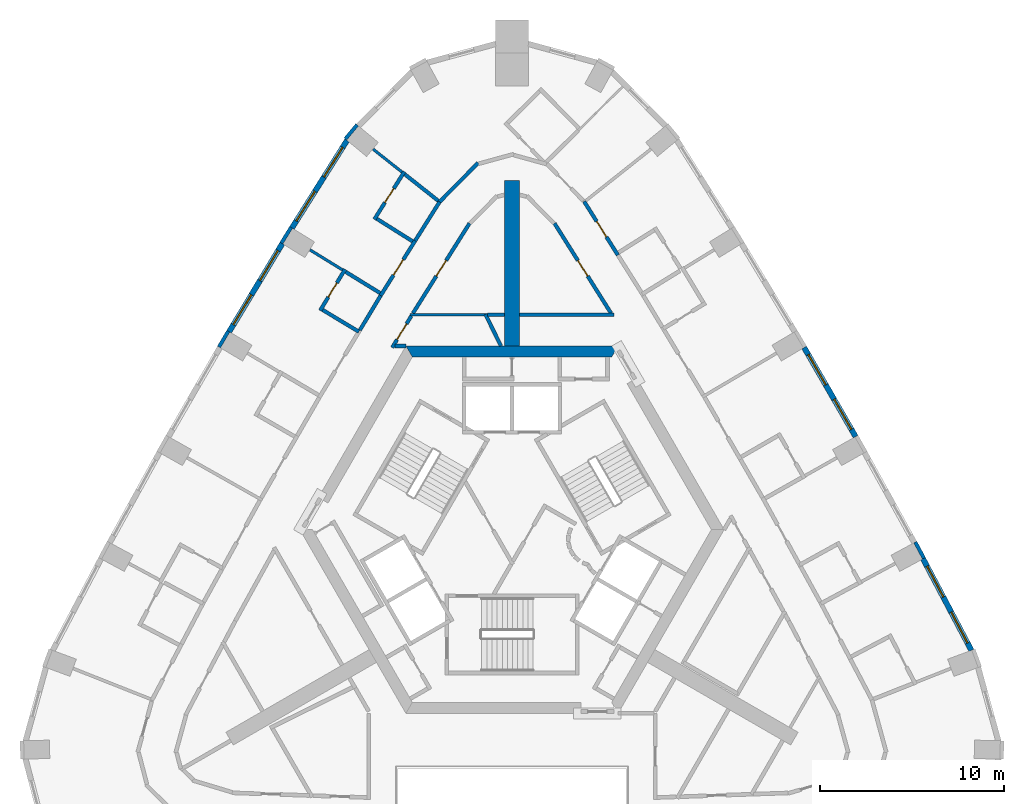
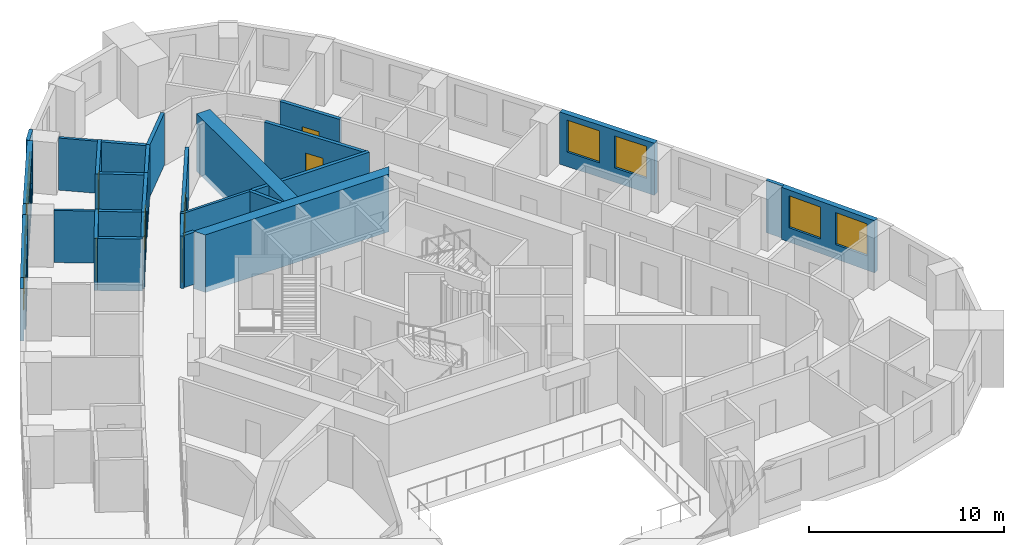
# One storey, part 9 of 12: 31 walls, 8 windows, 7 doors, 15 openings.
"""IFC4 building model written with IfcOpenShell, lengths in metres."""

from ifc_helpers import new_model, si_unit, direction, frame, frame_2d, origin, place, context, subcontext, project, spatial, polyline, rectangle, outline, extrude, material, layer, layer_set, type_object, element, fill, save


model = new_model("IFC4")

# Units and contexts
model_context = context("Model", 3, precision=1e-05, world=origin(), true_north=direction((0.0, 1.0)))
body_context = subcontext(model_context, "Body", "Model", "MODEL_VIEW")
ifc_project = project(units=[si_unit("LENGTHUNIT", "METRE"), si_unit("AREAUNIT", "SQUARE_METRE"), si_unit("VOLUMEUNIT", "CUBIC_METRE"), si_unit("PLANEANGLEUNIT", "RADIAN"), si_unit("MASSUNIT", "GRAM", prefix="KILO")], contexts=[model_context])

# Site, building, storey
site_placement = place(None, origin())
site = spatial("IfcSite", under=ifc_project, at=site_placement, CompositionType="ELEMENT")
building_placement = place(site_placement, origin())
building = spatial("IfcBuilding", under=site, at=building_placement, Name="Entoto Arch Interchange Tower", CompositionType="ELEMENT")
storey_placement = place(building_placement, frame((0.0, 0.0, 255.800048828125)))
storey = spatial("IfcBuildingStorey", under=building, at=storey_placement, Name="L58", CompositionType="ELEMENT", Elevation=255.800048828125)

# Walls
ifc_material_1 = material(Name="Concrete C40/50", Category="concrete")
ifc_layer_1 = layer(ifc_material_1, 0.800048828125)
ifc_layer_set_1 = layer_set([ifc_layer_1], Name="Concrete C40/50")
wall_type_1 = type_object("IfcWallType", Name="Buttress wall 800 C40/50", PredefinedType="SHEAR", material=ifc_layer_set_1)
wall_1_placement = place(storey_placement, frame((0.0, 12.5, -0.340087890625), z_axis=(0.0, 0.0, 1.0), x_axis=(0.0, 1.0, 0.0)))
element("IfcWall", 1, at=wall_1_placement, inside=storey, type_object=wall_type_1, Name="Buttress wall N L58", PredefinedType="SHEAR", context=body_context, shape_type="SweptSolid", body=[
    extrude(rectangle(XDim=9.0, YDim=0.800048828125, at=frame_2d((4.5, 0.0))), origin(), (0.0, 0.0, 1.0), 3.60009765625),
])
ifc_layer_2 = layer(ifc_material_1, 0.60009765625)
ifc_layer_set_2 = layer_set([ifc_layer_2], Name="Concrete C40/50")
wall_type_2 = type_object("IfcWallType", Name="Core wall 600 C40/50", PredefinedType="SHEAR", material=ifc_layer_set_2)
wall_2_placement = place(storey_placement, frame((0.0, 0.0, -0.340087890625)))
element("IfcWall", 2, at=wall_2_placement, inside=storey, type_object=wall_type_2, Name="Core wall N L58", PredefinedType="SHEAR", context=body_context, shape_type="SweptSolid", body=[
    extrude(outline(polyline([(5.77392578125, 12.5), (-5.77392578125, 12.5), (-5.427001953125, 11.89990234375), (5.427001953125, 11.89990234375), (5.77392578125, 12.5)])), origin(), (0.0, 0.0, 1.0), 3.60009765625),
])
ifc_material_2 = material(Name="Gypsum board partition on steel studs", Category="steel")
ifc_layer_3 = layer(ifc_material_2, 0.14990234375)
ifc_layer_set_3 = layer_set([ifc_layer_3], Name="Gypsum board partition on steel studs")
wall_type_3 = type_object("IfcWallType", Name="PARTITION 150", PredefinedType="PARTITIONING", material=ifc_layer_set_3)
wall_3_placement = place(storey_placement, frame((-1.333984375, 14.199951171875, 0.0), z_axis=(0.0, 0.0, 1.0), x_axis=(-1.0, 0.0, 0.0)))
element("IfcWall", 3, at=wall_3_placement, inside=storey, type_object=wall_type_3, Name="wall:L58:p089", PredefinedType="PARTITIONING", context=body_context, shape_type="SweptSolid", body=[
    extrude(rectangle(XDim=4.208984375, YDim=0.14990234375, at=frame_2d((2.1044921875, 0.0))), origin(), (0.0, 0.0, 1.0), 3.260009765625),
])
wall_4_placement = place(storey_placement, frame((-5.989990234375, 21.969970703125, 0.0), z_axis=(0.0, 0.0, 1.0), x_axis=(-0.783573405437, 0.621299218003, 0.0)))
element("IfcWall", 4, at=wall_4_placement, inside=storey, type_object=wall_type_3, Name="wall:L58:p155", PredefinedType="PARTITIONING", context=body_context, shape_type="SweptSolid", body=[
    extrude(rectangle(XDim=2.00244140625, YDim=0.14990234375, at=frame_2d((1.001220703125, 0.0))), origin(), (0.0, 0.0, 1.0), 3.260009765625),
])
wall_5_placement = place(storey_placement, frame((-9.22509765625, 16.64111328125, 0.0), z_axis=(0.0, 0.0, 1.0), x_axis=(-0.85144868382, 0.524437926566, 0.0)))
element("IfcWall", 5, at=wall_5_placement, inside=storey, type_object=wall_type_3, Name="wall:L58:p159", PredefinedType="PARTITIONING", context=body_context, shape_type="SweptSolid", body=[
    extrude(rectangle(XDim=2.080078125, YDim=0.14990234375, at=frame_2d((1.0400390625, 0.0))), origin(), (0.0, 0.0, 1.0), 3.260009765625),
])
ifc_layer_4 = layer(ifc_material_2, 0.199951171875)
ifc_layer_set_4 = layer_set([ifc_layer_4], Name="Gypsum board partition on steel studs")
wall_type_4 = type_object("IfcWallType", Name="PARTITION 200", PredefinedType="PARTITIONING", material=ifc_layer_set_4)
wall_6_placement = place(storey_placement, frame((-0.60009765625, 12.5, 0.0), z_axis=(0.0, 0.0, 1.0), x_axis=(-0.440531456598, 0.897737175206, 0.0)))
element("IfcWall", 6, at=wall_6_placement, inside=storey, type_object=wall_type_4, Name="wall:L58:p001", PredefinedType="PARTITIONING", context=body_context, shape_type="SweptSolid", body=[
    extrude(rectangle(XDim=1.91796875, YDim=0.199951171875, at=frame_2d((0.958984375, 0.0))), origin(), (0.0, 0.0, 1.0), 3.260009765625),
])

# Wall, opening, door
wall_7_placement = place(storey_placement, frame((-5.48193359375, 14.135986328125, 0.0), z_axis=(0.0, 0.0, 1.0), x_axis=(-0.516156559549, -0.856494253357, 0.0)))
wall_7 = element("IfcWall", 7, at=wall_7_placement, inside=storey, type_object=wall_type_4, Name="wall:L58:p002", PredefinedType="PARTITIONING", context=body_context, shape_type="SweptSolid", body=[
    extrude(rectangle(XDim=2.00927734375, YDim=0.199951171875, at=frame_2d((1.004638671875, 0.0))), origin(), (0.0, 0.0, 1.0), 3.260009765625),
])
opening_1_placement = place(wall_7_placement, frame((0.50390625, 0.0, 0.0)))
opening_1 = element("IfcOpeningElement", 8, at=opening_1_placement, cuts=wall_7, Name="Opening L58-D44", PredefinedType="OPENING", context=body_context, shape_type="SweptSolid", body=[
    extrude(rectangle(XDim=1.0, YDim=2.10009765625, at=frame_2d((0.5, 1.050048828125))), frame((0.0, 0.10986328125, 0.0), z_axis=(0.0, -1.0, 0.0), x_axis=(1.0, 0.0, 0.0)), (0.0, 0.0, 1.0), 0.219970703125),
])
ifc_material_3 = material(Name="Timber door leaf in Steel S235 frame", Category="steel")
door_type_1 = type_object("IfcDoorType", Name="DOOR DS-10 1000x2100", OperationType="SINGLE_SWING_LEFT", PredefinedType="DOOR", material=ifc_material_3)
door_1_placement = place(opening_1_placement, origin())
door_1 = element("IfcDoor", 9, at=door_1_placement, inside=storey, type_object=door_type_1, Name="door:L58:44", OperationType="SINGLE_SWING_LEFT", OverallHeight=2.10009765625, OverallWidth=1.0, PredefinedType="DOOR", context=body_context, shape_type="SweptSolid", body=[
    extrude(rectangle(XDim=1.0, YDim=2.10009765625, at=frame_2d((0.5, 1.050048828125))), frame((0.0, 0.02490234375, 0.0), z_axis=(0.0, -1.0, 0.0), x_axis=(1.0, 0.0, 0.0)), (0.0, 0.0, 1.0), 0.050048828125),
])
fill(opening_1, door_1)

# Walls
wall_8_placement = place(storey_placement, frame((-6.366943359375, 12.5009765625, 0.0), z_axis=(0.0, 0.0, 1.0), x_axis=(1.0, 0.0, 0.0)))
element("IfcWall", 10, at=wall_8_placement, inside=storey, type_object=wall_type_4, Name="wall:L58:p003", PredefinedType="PARTITIONING", context=body_context, shape_type="SweptSolid", body=[
    extrude(rectangle(XDim=0.595947265625, YDim=0.199951171875, at=frame_2d((0.2978515625, 0.0))), origin(), (0.0, 0.0, 1.0), 3.260009765625),
])
wall_9_placement = place(storey_placement, frame((0.39990234375, 14.199951171875, 0.0), z_axis=(0.0, 0.0, 1.0), x_axis=(1.0, 0.0, 0.0)))
element("IfcWall", 11, at=wall_9_placement, inside=storey, type_object=wall_type_4, Name="wall:L58:p006", PredefinedType="PARTITIONING", context=body_context, shape_type="SweptSolid", body=[
    extrude(rectangle(XDim=5.14306640625, YDim=0.199951171875, at=frame_2d((2.571533203125, 0.0))), origin(), (0.0, 0.0, 1.0), 3.260009765625),
])

# Wall, opening, door
wall_10_placement = place(storey_placement, frame((5.39404296875, 14.281005859375, 0.0), z_axis=(0.0, 0.0, 1.0), x_axis=(-0.532551510955, 0.846397594621, 0.0)))
wall_10 = element("IfcWall", 12, at=wall_10_placement, inside=storey, type_object=wall_type_4, Name="wall:L58:p007", PredefinedType="PARTITIONING", context=body_context, shape_type="SweptSolid", body=[
    extrude(rectangle(XDim=5.7890625, YDim=0.199951171875, at=frame_2d((2.89453125, 0.0))), origin(), (0.0, 0.0, 1.0), 3.260009765625),
])
opening_2_placement = place(wall_10_placement, frame((2.39404296875, 0.0, 0.0)))
opening_2 = element("IfcOpeningElement", 13, at=opening_2_placement, cuts=wall_10, Name="Opening L58-D38", PredefinedType="OPENING", context=body_context, shape_type="SweptSolid", body=[
    extrude(rectangle(XDim=1.0, YDim=2.10009765625, at=frame_2d((0.5, 1.050048828125))), frame((0.0, 0.10986328125, 0.0), z_axis=(0.0, -1.0, 0.0), x_axis=(1.0, 0.0, 0.0)), (0.0, 0.0, 1.0), 0.219970703125),
])
door_2_placement = place(opening_2_placement, origin())
door_2 = element("IfcDoor", 14, at=door_2_placement, inside=storey, type_object=door_type_1, Name="door:L58:38", OperationType="SINGLE_SWING_LEFT", OverallHeight=2.10009765625, OverallWidth=1.0, PredefinedType="DOOR", context=body_context, shape_type="SweptSolid", body=[
    extrude(rectangle(XDim=1.0, YDim=2.10009765625, at=frame_2d((0.5, 1.050048828125))), frame((0.0, 0.02490234375, 0.0), z_axis=(0.0, -1.0, 0.0), x_axis=(1.0, 0.0, 0.0)), (0.0, 0.0, 1.0), 0.050048828125),
])
fill(opening_2, door_2)

# Wall
wall_11_placement = place(storey_placement, frame((-1.333984375, 14.199951171875, 0.0), z_axis=(0.0, 0.0, 1.0), x_axis=(1.0, 0.0, 0.0)))
element("IfcWall", 15, at=wall_11_placement, inside=storey, type_object=wall_type_4, Name="wall:L58:p010", PredefinedType="PARTITIONING", context=body_context, shape_type="SweptSolid", body=[
    extrude(rectangle(XDim=0.93408203125, YDim=0.199951171875, at=frame_2d((0.467041015625, 0.0))), origin(), (0.0, 0.0, 1.0), 3.260009765625),
])

# Wall, opening, door
wall_12_placement = place(storey_placement, frame((-2.31103515625, 19.180908203125, 0.0), z_axis=(0.0, 0.0, 1.0), x_axis=(-0.532551510955, -0.846397594621, 0.0)))
wall_12 = element("IfcWall", 16, at=wall_12_placement, inside=storey, type_object=wall_type_4, Name="wall:L58:p013", PredefinedType="PARTITIONING", context=body_context, shape_type="SweptSolid", body=[
    extrude(rectangle(XDim=5.7890625, YDim=0.199951171875, at=frame_2d((2.89453125, 0.0))), origin(), (0.0, 0.0, 1.0), 3.260009765625),
])
opening_3_placement = place(wall_12_placement, frame((2.39404296875, 0.0, 0.0)))
opening_3 = element("IfcOpeningElement", 17, at=opening_3_placement, cuts=wall_12, Name="Opening L58-D39", PredefinedType="OPENING", context=body_context, shape_type="SweptSolid", body=[
    extrude(rectangle(XDim=1.0, YDim=2.10009765625, at=frame_2d((0.5, 1.050048828125))), frame((0.0, 0.10986328125, 0.0), z_axis=(0.0, -1.0, 0.0), x_axis=(1.0, 0.0, 0.0)), (0.0, 0.0, 1.0), 0.219970703125),
])
door_3_placement = place(opening_3_placement, origin())
door_3 = element("IfcDoor", 18, at=door_3_placement, inside=storey, type_object=door_type_1, Name="door:L58:39", OperationType="SINGLE_SWING_LEFT", OverallHeight=2.10009765625, OverallWidth=1.0, PredefinedType="DOOR", context=body_context, shape_type="SweptSolid", body=[
    extrude(rectangle(XDim=1.0, YDim=2.10009765625, at=frame_2d((0.5, 1.050048828125))), frame((0.0, 0.02490234375, 0.0), z_axis=(0.0, -1.0, 0.0), x_axis=(1.0, 0.0, 0.0)), (0.0, 0.0, 1.0), 0.050048828125),
])
fill(opening_3, door_3)

wall_13_placement = place(storey_placement, frame((3.927978515625, 20.366943359375, 0.0), z_axis=(0.0, 0.0, 1.0), x_axis=(0.532616247911, -0.846356858814, 0.0)))
wall_13 = element("IfcWall", 19, at=wall_13_placement, inside=storey, type_object=wall_type_4, Name="wall:L58:p050", PredefinedType="PARTITIONING", context=body_context, shape_type="SweptSolid", body=[
    extrude(rectangle(XDim=3.451171875, YDim=0.199951171875, at=frame_2d((1.7255859375, 0.0))), origin(), (0.0, 0.0, 1.0), 3.260009765625),
])
opening_4_placement = place(wall_13_placement, frame((1.27490234375, 0.0, 0.0)))
opening_4 = element("IfcOpeningElement", 20, at=opening_4_placement, cuts=wall_13, Name="Opening L58-D14", PredefinedType="OPENING", context=body_context, shape_type="SweptSolid", body=[
    extrude(rectangle(XDim=1.0, YDim=2.10009765625, at=frame_2d((0.5, 1.050048828125))), frame((0.0, 0.10986328125, 0.0), z_axis=(0.0, -1.0, 0.0), x_axis=(1.0, 0.0, 0.0)), (0.0, 0.0, 1.0), 0.219970703125),
])
ifc_material_4 = material(Name="Fire-rated Steel S235 door and frame", Category="steel")
door_type_2 = type_object("IfcDoorType", Name="DOOR FD-10 1000x2100", OperationType="SINGLE_SWING_LEFT", PredefinedType="DOOR", material=ifc_material_4)
door_4_placement = place(opening_4_placement, origin())
door_4 = element("IfcDoor", 21, at=door_4_placement, inside=storey, type_object=door_type_2, Name="door:L58:14", OperationType="SINGLE_SWING_LEFT", OverallHeight=2.10009765625, OverallWidth=1.0, PredefinedType="DOOR", context=body_context, shape_type="SweptSolid", body=[
    extrude(rectangle(XDim=1.0, YDim=2.10009765625, at=frame_2d((0.5, 1.050048828125))), frame((0.0, 0.02490234375, 0.0), z_axis=(0.0, -1.0, 0.0), x_axis=(1.0, 0.0, 0.0)), (0.0, 0.0, 1.0), 0.050048828125),
])
fill(opening_4, door_4)

# Wall
wall_14_placement = place(storey_placement, frame((-4.011962890625, 20.27490234375, 0.0), z_axis=(0.0, 0.0, 1.0), x_axis=(0.702488437915, 0.711695155664, 0.0)))
element("IfcWall", 22, at=wall_14_placement, inside=storey, type_object=wall_type_4, Name="wall:L58:p053", PredefinedType="PARTITIONING", context=body_context, shape_type="SweptSolid", body=[
    extrude(rectangle(XDim=3.075927734375, YDim=0.199951171875, at=frame_2d((1.5380859375, 0.0))), origin(), (0.0, 0.0, 1.0), 3.260009765625),
])

# Wall, opening, door
wall_15_placement = place(storey_placement, frame((-7.14990234375, 15.24609375, 0.0), z_axis=(0.0, 0.0, 1.0), x_axis=(0.532449518014, 0.846461759778, 0.0)))
wall_15 = element("IfcWall", 23, at=wall_15_placement, inside=storey, type_object=wall_type_4, Name="wall:L58:p056", PredefinedType="PARTITIONING", context=body_context, shape_type="SweptSolid", body=[
    extrude(rectangle(XDim=3.525146484375, YDim=0.199951171875, at=frame_2d((1.7626953125, 0.0))), origin(), (0.0, 0.0, 1.0), 3.260009765625),
])
opening_5_placement = place(wall_15_placement, frame((1.31298828125, 0.0, 0.0)))
opening_5 = element("IfcOpeningElement", 24, at=opening_5_placement, cuts=wall_15, Name="Opening L58-D19", PredefinedType="OPENING", context=body_context, shape_type="SweptSolid", body=[
    extrude(rectangle(XDim=1.0, YDim=2.10009765625, at=frame_2d((0.5, 1.050048828125))), frame((0.0, 0.10986328125, 0.0), z_axis=(0.0, -1.0, 0.0), x_axis=(1.0, 0.0, 0.0)), (0.0, 0.0, 1.0), 0.219970703125),
])
door_5_placement = place(opening_5_placement, origin())
door_5 = element("IfcDoor", 25, at=door_5_placement, inside=storey, type_object=door_type_2, Name="door:L58:19", OperationType="SINGLE_SWING_RIGHT", OverallHeight=2.10009765625, OverallWidth=1.0, PredefinedType="DOOR", context=body_context, shape_type="SweptSolid", body=[
    extrude(rectangle(XDim=1.0, YDim=2.10009765625, at=frame_2d((0.5, 1.050048828125))), frame((0.0, 0.02490234375, 0.0), z_axis=(0.0, -1.0, 0.0), x_axis=(1.0, 0.0, 0.0)), (0.0, 0.0, 1.0), 0.050048828125),
])
fill(opening_5, door_5)

# Walls
wall_16_placement = place(storey_placement, frame((-5.27294921875, 18.22998046875, 0.0), z_axis=(0.0, 0.0, 1.0), x_axis=(0.532743344325, 0.846276863135, 0.0)))
element("IfcWall", 26, at=wall_16_placement, inside=storey, type_object=wall_type_4, Name="wall:L58:p057", PredefinedType="PARTITIONING", context=body_context, shape_type="SweptSolid", body=[
    extrude(rectangle(XDim=2.500244140625, YDim=0.199951171875, at=frame_2d((1.25, 0.0))), origin(), (0.0, 0.0, 1.0), 3.260009765625),
])
wall_17_placement = place(storey_placement, frame((-8.283935546875, 13.361083984375, 0.0), z_axis=(0.0, 0.0, 1.0), x_axis=(0.516354965559, 0.856374654893, 0.0)))
element("IfcWall", 27, at=wall_17_placement, inside=storey, type_object=wall_type_4, Name="wall:L58:p059", PredefinedType="PARTITIONING", context=body_context, shape_type="SweptSolid", body=[
    extrude(rectangle(XDim=2.199951171875, YDim=0.199951171875, at=frame_2d((1.10009765625, 0.0))), origin(), (0.0, 0.0, 1.0), 3.260009765625),
])
wall_18_placement = place(storey_placement, frame((-4.02001953125, 20.407958984375, 0.0), z_axis=(0.0, 0.0, 1.0), x_axis=(-0.783681902275, 0.621162358846, 0.0)))
element("IfcWall", 28, at=wall_18_placement, inside=storey, type_object=wall_type_4, Name="wall:L58:p156", PredefinedType="PARTITIONING", context=body_context, shape_type="SweptSolid", body=[
    extrude(rectangle(XDim=2.3134765625, YDim=0.199951171875, at=frame_2d((1.15673828125, 0.0))), origin(), (0.0, 0.0, 1.0), 3.260009765625),
])

# Wall, opening, door
wall_19_placement = place(storey_placement, frame((-5.85791015625, 21.991943359375, 0.0), z_axis=(0.0, 0.0, 1.0), x_axis=(-0.532874387162, -0.846194355634, 0.0)))
wall_19 = element("IfcWall", 29, at=wall_19_placement, inside=storey, type_object=wall_type_4, Name="wall:L58:p157", PredefinedType="PARTITIONING", context=body_context, shape_type="SweptSolid", body=[
    extrude(rectangle(XDim=3.072509765625, YDim=0.199951171875, at=frame_2d((1.5361328125, 0.0))), origin(), (0.0, 0.0, 1.0), 3.260009765625),
])
opening_6_placement = place(wall_19_placement, frame((1.0859375, 0.0, 0.0)))
opening_6 = element("IfcOpeningElement", 30, at=opening_6_placement, cuts=wall_19, Name="Opening L58-D20", PredefinedType="OPENING", context=body_context, shape_type="SweptSolid", body=[
    extrude(rectangle(XDim=0.89990234375, YDim=2.10009765625, at=frame_2d((0.449951171875, 1.050048828125))), frame((0.0, 0.10986328125, 0.0), z_axis=(0.0, -1.0, 0.0), x_axis=(1.0, 0.0, 0.0)), (0.0, 0.0, 1.0), 0.219970703125),
])
door_type_3 = type_object("IfcDoorType", Name="DOOR DS-09 900x2100", OperationType="SINGLE_SWING_LEFT", PredefinedType="DOOR", material=ifc_material_3)
door_6_placement = place(opening_6_placement, origin())
door_6 = element("IfcDoor", 31, at=door_6_placement, inside=storey, type_object=door_type_3, Name="door:L58:20", OperationType="SINGLE_SWING_LEFT", OverallHeight=2.10009765625, OverallWidth=0.89990234375, PredefinedType="DOOR", context=body_context, shape_type="SweptSolid", body=[
    extrude(rectangle(XDim=0.89990234375, YDim=2.10009765625, at=frame_2d((0.449951171875, 1.050048828125))), frame((0.0, 0.02490234375, 0.0), z_axis=(0.0, -1.0, 0.0), x_axis=(1.0, 0.0, 0.0)), (0.0, 0.0, 1.0), 0.050048828125),
])
fill(opening_6, door_6)

# Walls
wall_20_placement = place(storey_placement, frame((-7.35693359375, 19.423095703125, 0.0), z_axis=(0.0, 0.0, 1.0), x_axis=(0.846270070045, -0.532754135176, 0.0)))
element("IfcWall", 32, at=wall_20_placement, inside=storey, type_object=wall_type_4, Name="wall:L58:p158", PredefinedType="PARTITIONING", context=body_context, shape_type="SweptSolid", body=[
    extrude(rectangle(XDim=2.299560546875, YDim=0.199951171875, at=frame_2d((1.14990234375, 0.0))), origin(), (0.0, 0.0, 1.0), 3.260009765625),
])
wall_21_placement = place(storey_placement, frame((-7.181884765625, 15.383056640625, 0.0), z_axis=(0.0, 0.0, 1.0), x_axis=(-0.851498142432, 0.524357619792, 0.0)))
element("IfcWall", 33, at=wall_21_placement, inside=storey, type_object=wall_type_4, Name="wall:L58:p160", PredefinedType="PARTITIONING", context=body_context, shape_type="SweptSolid", body=[
    extrude(rectangle(XDim=2.198486328125, YDim=0.199951171875, at=frame_2d((1.09912109375, 0.0))), origin(), (0.0, 0.0, 1.0), 3.260009765625),
])

# Wall, opening, door
wall_22_placement = place(storey_placement, frame((-9.087890625, 16.674072265625, 0.0), z_axis=(0.0, 0.0, 1.0), x_axis=(-0.516780274192, -0.856118069081, 0.0)))
wall_22 = element("IfcWall", 34, at=wall_22_placement, inside=storey, type_object=wall_type_4, Name="wall:L58:p161", PredefinedType="PARTITIONING", context=body_context, shape_type="SweptSolid", body=[
    extrude(rectangle(XDim=2.62255859375, YDim=0.199951171875, at=frame_2d((1.311279296875, 0.0))), origin(), (0.0, 0.0, 1.0), 3.260009765625),
])
opening_7_placement = place(wall_22_placement, frame((0.861083984375, 0.0, 0.0)))
opening_7 = element("IfcOpeningElement", 35, at=opening_7_placement, cuts=wall_22, Name="Opening L58-D22", PredefinedType="OPENING", context=body_context, shape_type="SweptSolid", body=[
    extrude(rectangle(XDim=0.89990234375, YDim=2.10009765625, at=frame_2d((0.449951171875, 1.050048828125))), frame((0.0, 0.10986328125, 0.0), z_axis=(0.0, -1.0, 0.0), x_axis=(1.0, 0.0, 0.0)), (0.0, 0.0, 1.0), 0.219970703125),
])
door_7_placement = place(opening_7_placement, origin())
door_7 = element("IfcDoor", 36, at=door_7_placement, inside=storey, type_object=door_type_3, Name="door:L58:22", OperationType="SINGLE_SWING_LEFT", OverallHeight=2.10009765625, OverallWidth=0.89990234375, PredefinedType="DOOR", context=body_context, shape_type="SweptSolid", body=[
    extrude(rectangle(XDim=0.89990234375, YDim=2.10009765625, at=frame_2d((0.449951171875, 1.050048828125))), frame((0.0, 0.02490234375, 0.0), z_axis=(0.0, -1.0, 0.0), x_axis=(1.0, 0.0, 0.0)), (0.0, 0.0, 1.0), 0.050048828125),
])
fill(opening_7, door_7)

# Wall
wall_23_placement = place(storey_placement, frame((-10.305908203125, 14.462890625, 0.0), z_axis=(0.0, 0.0, 1.0), x_axis=(0.856338986581, -0.51641411683, 0.0)))
element("IfcWall", 37, at=wall_23_placement, inside=storey, type_object=wall_type_4, Name="wall:L58:p162", PredefinedType="PARTITIONING", context=body_context, shape_type="SweptSolid", body=[
    extrude(rectangle(XDim=2.300537109375, YDim=0.199951171875, at=frame_2d((1.150390625, 0.0))), origin(), (0.0, 0.0, 1.0), 3.260009765625),
])

# Wall, openings, windows
ifc_material_5 = material(Name="Welded tuff (ignimbrite) cladding, warm buff", Category="masonry")
ifc_layer_5 = layer(ifc_material_5, 0.300048828125)
ifc_layer_set_5 = layer_set([ifc_layer_5], Name="Welded tuff (ignimbrite) cladding, warm buff")
wall_type_5 = type_object("IfcWallType", Name="STONE INFILL WALL 300", PredefinedType="STANDARD", material=ifc_layer_set_5)
wall_24_placement = place(storey_placement, frame((25.011962890625, -4.070068359375, 0.0), z_axis=(0.0, 0.0, 1.0), x_axis=(-0.466663589714, 0.884434900959, 0.0)))
wall_24 = element("IfcWall", 38, at=wall_24_placement, inside=storey, type_object=wall_type_5, Name="Facade wall NE-01 L58", PredefinedType="STANDARD", context=body_context, shape_type="SweptSolid", body=[
    extrude(rectangle(XDim=5.6376953125, YDim=0.300048828125, at=frame_2d((2.81884765625, 0.0))), origin(), (0.0, 0.0, 1.0), 3.260009765625),
])
opening_8_placement = place(wall_24_placement, frame((0.458984375, 0.0, 0.89990234375)))
opening_8 = element("IfcOpeningElement", 39, at=opening_8_placement, cuts=wall_24, Name="Opening WH-C", PredefinedType="OPENING", context=body_context, shape_type="SweptSolid", body=[
    extrude(rectangle(XDim=1.89990234375, YDim=2.0, at=frame_2d((0.949951171875, 1.0))), frame((0.0, 0.16015625, 0.0), z_axis=(0.0, -1.0, 0.0), x_axis=(1.0, 0.0, 0.0)), (0.0, 0.0, 1.0), 0.320068359375),
])
opening_9_placement = place(wall_24_placement, frame((3.278076171875, 0.0, 0.89990234375)))
opening_9 = element("IfcOpeningElement", 40, at=opening_9_placement, cuts=wall_24, Name="Opening WH-C", PredefinedType="OPENING", context=body_context, shape_type="SweptSolid", body=[
    extrude(rectangle(XDim=1.89990234375, YDim=2.0, at=frame_2d((0.949951171875, 1.0))), frame((0.0, 0.16015625, 0.0), z_axis=(0.0, -1.0, 0.0), x_axis=(1.0, 0.0, 0.0)), (0.0, 0.0, 1.0), 0.320068359375),
])
ifc_material_6 = material(Name="Clear glass, low-e double glazed", Category="glass")
window_type = type_object("IfcWindowType", Name="WINDOW WH-C 1900x2000", PartitioningType="DOUBLE_PANEL_VERTICAL", PredefinedType="WINDOW", material=ifc_material_6)
window_1_placement = place(opening_8_placement, origin())
window_1 = element("IfcWindow", 41, at=window_1_placement, inside=storey, type_object=window_type, Name="Window WH-C NE-01 L58", OverallHeight=2.0, OverallWidth=1.89990234375, PartitioningType="SINGLE_PANEL", PredefinedType="WINDOW", context=body_context, shape_type="SweptSolid", body=[
    extrude(rectangle(XDim=1.89990234375, YDim=2.0, at=frame_2d((0.949951171875, 1.0))), frame((0.0, 0.030029296875, 0.0), z_axis=(0.0, -1.0, 0.0), x_axis=(1.0, 0.0, 0.0)), (0.0, 0.0, 1.0), 0.06005859375),
])
fill(opening_8, window_1)
window_2_placement = place(opening_9_placement, origin())
window_2 = element("IfcWindow", 42, at=window_2_placement, inside=storey, type_object=window_type, Name="Window WH-C NE-01 L58", OverallHeight=2.0, OverallWidth=1.89990234375, PartitioningType="SINGLE_PANEL", PredefinedType="WINDOW", context=body_context, shape_type="SweptSolid", body=[
    extrude(rectangle(XDim=1.89990234375, YDim=2.0, at=frame_2d((0.949951171875, 1.0))), frame((0.0, 0.030029296875, 0.0), z_axis=(0.0, -1.0, 0.0), x_axis=(1.0, 0.0, 0.0)), (0.0, 0.0, 1.0), 0.06005859375),
])
fill(opening_9, window_2)

wall_25_placement = place(storey_placement, frame((18.7080078125, 7.56591796875, 0.0), z_axis=(0.0, 0.0, 1.0), x_axis=(-0.500089564757, 0.865973687372, 0.0)))
wall_25 = element("IfcWall", 43, at=wall_25_placement, inside=storey, type_object=wall_type_5, Name="Facade wall NE-03 L58", PredefinedType="STANDARD", context=body_context, shape_type="SweptSolid", body=[
    extrude(rectangle(XDim=5.60302734375, YDim=0.300048828125, at=frame_2d((2.801513671875, 0.0))), origin(), (0.0, 0.0, 1.0), 3.260009765625),
])
opening_10_placement = place(wall_25_placement, frame((0.450927734375, 0.0, 0.89990234375)))
opening_10 = element("IfcOpeningElement", 44, at=opening_10_placement, cuts=wall_25, Name="Opening WH-C", PredefinedType="OPENING", context=body_context, shape_type="SweptSolid", body=[
    extrude(rectangle(XDim=1.89990234375, YDim=2.0, at=frame_2d((0.949951171875, 1.0))), frame((0.0, 0.16015625, 0.0), z_axis=(0.0, -1.0, 0.0), x_axis=(1.0, 0.0, 0.0)), (0.0, 0.0, 1.0), 0.320068359375),
])
opening_11_placement = place(wall_25_placement, frame((3.251953125, 0.0, 0.89990234375)))
opening_11 = element("IfcOpeningElement", 45, at=opening_11_placement, cuts=wall_25, Name="Opening WH-C", PredefinedType="OPENING", context=body_context, shape_type="SweptSolid", body=[
    extrude(rectangle(XDim=1.89990234375, YDim=2.0, at=frame_2d((0.949951171875, 1.0))), frame((0.0, 0.16015625, 0.0), z_axis=(0.0, -1.0, 0.0), x_axis=(1.0, 0.0, 0.0)), (0.0, 0.0, 1.0), 0.320068359375),
])
window_3_placement = place(opening_10_placement, origin())
window_3 = element("IfcWindow", 46, at=window_3_placement, inside=storey, type_object=window_type, Name="Window WH-C NE-03 L58", OverallHeight=2.0, OverallWidth=1.89990234375, PartitioningType="SINGLE_PANEL", PredefinedType="WINDOW", context=body_context, shape_type="SweptSolid", body=[
    extrude(rectangle(XDim=1.89990234375, YDim=2.0, at=frame_2d((0.949951171875, 1.0))), frame((0.0, 0.030029296875, 0.0), z_axis=(0.0, -1.0, 0.0), x_axis=(1.0, 0.0, 0.0)), (0.0, 0.0, 1.0), 0.06005859375),
])
fill(opening_10, window_3)
window_4_placement = place(opening_11_placement, origin())
window_4 = element("IfcWindow", 47, at=window_4_placement, inside=storey, type_object=window_type, Name="Window WH-C NE-03 L58", OverallHeight=2.0, OverallWidth=1.89990234375, PartitioningType="SINGLE_PANEL", PredefinedType="WINDOW", context=body_context, shape_type="SweptSolid", body=[
    extrude(rectangle(XDim=1.89990234375, YDim=2.0, at=frame_2d((0.949951171875, 1.0))), frame((0.0, 0.030029296875, 0.0), z_axis=(0.0, -1.0, 0.0), x_axis=(1.0, 0.0, 0.0)), (0.0, 0.0, 1.0), 0.06005859375),
])
fill(opening_11, window_4)

wall_26_placement = place(storey_placement, frame((-8.98095703125, 23.697021484375, 0.0), z_axis=(0.0, 0.0, 1.0), x_axis=(-0.532558226688, -0.846393369059, 0.0)))
wall_26 = element("IfcWall", 48, at=wall_26_placement, inside=storey, type_object=wall_type_5, Name="Facade wall NW-01 L58", PredefinedType="STANDARD", context=body_context, shape_type="SweptSolid", body=[
    extrude(rectangle(XDim=5.636962890625, YDim=0.300048828125, at=frame_2d((2.818359375, 0.0))), origin(), (0.0, 0.0, 1.0), 3.260009765625),
])
opening_12_placement = place(wall_26_placement, frame((0.458984375, 0.0, 0.89990234375)))
opening_12 = element("IfcOpeningElement", 49, at=opening_12_placement, cuts=wall_26, Name="Opening WH-C", PredefinedType="OPENING", context=body_context, shape_type="SweptSolid", body=[
    extrude(rectangle(XDim=1.89990234375, YDim=2.0, at=frame_2d((0.949951171875, 1.0))), frame((0.0, 0.16015625, 0.0), z_axis=(0.0, -1.0, 0.0), x_axis=(1.0, 0.0, 0.0)), (0.0, 0.0, 1.0), 0.320068359375),
])
opening_13_placement = place(wall_26_placement, frame((3.278076171875, 0.0, 0.89990234375)))
opening_13 = element("IfcOpeningElement", 50, at=opening_13_placement, cuts=wall_26, Name="Opening WH-C", PredefinedType="OPENING", context=body_context, shape_type="SweptSolid", body=[
    extrude(rectangle(XDim=1.89990234375, YDim=2.0, at=frame_2d((0.949951171875, 1.0))), frame((0.0, 0.16015625, 0.0), z_axis=(0.0, -1.0, 0.0), x_axis=(1.0, 0.0, 0.0)), (0.0, 0.0, 1.0), 0.320068359375),
])
window_5_placement = place(opening_12_placement, origin())
window_5 = element("IfcWindow", 51, at=window_5_placement, inside=storey, type_object=window_type, Name="Window WH-C NW-01 L58", OverallHeight=2.0, OverallWidth=1.89990234375, PartitioningType="SINGLE_PANEL", PredefinedType="WINDOW", context=body_context, shape_type="SweptSolid", body=[
    extrude(rectangle(XDim=1.89990234375, YDim=2.0, at=frame_2d((0.949951171875, 1.0))), frame((0.0, 0.030029296875, 0.0), z_axis=(0.0, -1.0, 0.0), x_axis=(1.0, 0.0, 0.0)), (0.0, 0.0, 1.0), 0.06005859375),
])
fill(opening_12, window_5)
window_6_placement = place(opening_13_placement, origin())
window_6 = element("IfcWindow", 52, at=window_6_placement, inside=storey, type_object=window_type, Name="Window WH-C NW-01 L58", OverallHeight=2.0, OverallWidth=1.89990234375, PartitioningType="SINGLE_PANEL", PredefinedType="WINDOW", context=body_context, shape_type="SweptSolid", body=[
    extrude(rectangle(XDim=1.89990234375, YDim=2.0, at=frame_2d((0.949951171875, 1.0))), frame((0.0, 0.030029296875, 0.0), z_axis=(0.0, -1.0, 0.0), x_axis=(1.0, 0.0, 0.0)), (0.0, 0.0, 1.0), 0.06005859375),
])
fill(opening_13, window_6)

wall_27_placement = place(storey_placement, frame((-12.506103515625, 18.075927734375, 0.0), z_axis=(0.0, 0.0, 1.0), x_axis=(-0.516269519619, -0.856426169096, 0.0)))
wall_27 = element("IfcWall", 53, at=wall_27_placement, inside=storey, type_object=wall_type_5, Name="Facade wall NW-02 L58", PredefinedType="STANDARD", context=body_context, shape_type="SweptSolid", body=[
    extrude(rectangle(XDim=5.603271484375, YDim=0.300048828125, at=frame_2d((2.8017578125, 0.0))), origin(), (0.0, 0.0, 1.0), 3.260009765625),
])
opening_14_placement = place(wall_27_placement, frame((0.450927734375, 0.0, 0.89990234375)))
opening_14 = element("IfcOpeningElement", 54, at=opening_14_placement, cuts=wall_27, Name="Opening WH-C", PredefinedType="OPENING", context=body_context, shape_type="SweptSolid", body=[
    extrude(rectangle(XDim=1.89990234375, YDim=2.0, at=frame_2d((0.949951171875, 1.0))), frame((0.0, 0.16015625, 0.0), z_axis=(0.0, -1.0, 0.0), x_axis=(1.0, 0.0, 0.0)), (0.0, 0.0, 1.0), 0.320068359375),
])
opening_15_placement = place(wall_27_placement, frame((3.2529296875, 0.0, 0.89990234375)))
opening_15 = element("IfcOpeningElement", 55, at=opening_15_placement, cuts=wall_27, Name="Opening WH-C", PredefinedType="OPENING", context=body_context, shape_type="SweptSolid", body=[
    extrude(rectangle(XDim=1.89990234375, YDim=2.0, at=frame_2d((0.949951171875, 1.0))), frame((0.0, 0.16015625, 0.0), z_axis=(0.0, -1.0, 0.0), x_axis=(1.0, 0.0, 0.0)), (0.0, 0.0, 1.0), 0.320068359375),
])
window_7_placement = place(opening_14_placement, origin())
window_7 = element("IfcWindow", 56, at=window_7_placement, inside=storey, type_object=window_type, Name="Window WH-C NW-02 L58", OverallHeight=2.0, OverallWidth=1.89990234375, PartitioningType="SINGLE_PANEL", PredefinedType="WINDOW", context=body_context, shape_type="SweptSolid", body=[
    extrude(rectangle(XDim=1.89990234375, YDim=2.0, at=frame_2d((0.949951171875, 1.0))), frame((0.0, 0.030029296875, 0.0), z_axis=(0.0, -1.0, 0.0), x_axis=(1.0, 0.0, 0.0)), (0.0, 0.0, 1.0), 0.06005859375),
])
fill(opening_14, window_7)
window_8_placement = place(opening_15_placement, origin())
window_8 = element("IfcWindow", 57, at=window_8_placement, inside=storey, type_object=window_type, Name="Window WH-C NW-02 L58", OverallHeight=2.0, OverallWidth=1.89990234375, PartitioningType="SINGLE_PANEL", PredefinedType="WINDOW", context=body_context, shape_type="SweptSolid", body=[
    extrude(rectangle(XDim=1.89990234375, YDim=2.0, at=frame_2d((0.949951171875, 1.0))), frame((0.0, 0.030029296875, 0.0), z_axis=(0.0, -1.0, 0.0), x_axis=(1.0, 0.0, 0.0)), (0.0, 0.0, 1.0), 0.06005859375),
])
fill(opening_15, window_8)

# Walls
ifc_layer_6 = layer(ifc_material_5, 0.199951171875)
ifc_layer_set_6 = layer_set([ifc_layer_6], Name="Welded tuff (ignimbrite) cladding, warm buff")
wall_type_6 = type_object("IfcWallType", Name="STONE PIER CLADDING 200", PredefinedType="STANDARD", material=ifc_layer_set_6)
wall_28_placement = place(storey_placement, frame((22.428955078125, 0.93994140625, 0.0), z_axis=(0.0, 0.0, 1.0), x_axis=(-0.473663196434, 0.88070606694, 0.0)))
element("IfcWall", 58, at=wall_28_placement, inside=storey, type_object=wall_type_6, Name="Stone pier NE02 L58", PredefinedType="STANDARD", context=body_context, shape_type="SweptSolid", body=[
    extrude(rectangle(XDim=1.00048828125, YDim=0.199951171875, at=frame_2d((0.500244140625, 0.0))), origin(), (0.0, 0.0, 1.0), 3.260009765625),
])
wall_29_placement = place(storey_placement, frame((-8.43310546875, 24.541015625, 0.0), z_axis=(0.0, 0.0, 1.0), x_axis=(-0.637972365578, -0.770059257953, 0.0)))
element("IfcWall", 59, at=wall_29_placement, inside=storey, type_object=wall_type_6, Name="Stone pier NW01 L58", PredefinedType="STANDARD", context=body_context, shape_type="SweptSolid", body=[
    extrude(rectangle(XDim=1.0, YDim=0.199951171875, at=frame_2d((0.5, 0.0))), origin(), (0.0, 0.0, 1.0), 3.260009765625),
])
wall_30_placement = place(storey_placement, frame((-12.028076171875, 18.955078125, 0.0), z_axis=(0.0, 0.0, 1.0), x_axis=(-0.525648735675, -0.850701714282, 0.0)))
element("IfcWall", 60, at=wall_30_placement, inside=storey, type_object=wall_type_6, Name="Stone pier NW02 L58", PredefinedType="STANDARD", context=body_context, shape_type="SweptSolid", body=[
    extrude(rectangle(XDim=1.00048828125, YDim=0.199951171875, at=frame_2d((0.500244140625, 0.0))), origin(), (0.0, 0.0, 1.0), 3.260009765625),
])
wall_31_placement = place(storey_placement, frame((-15.446044921875, 13.305908203125, 0.0), z_axis=(0.0, 0.0, 1.0), x_axis=(-0.508268432768, -0.861198699634, 0.0)))
element("IfcWall", 61, at=wall_31_placement, inside=storey, type_object=wall_type_6, Name="Stone pier NW03 L58", PredefinedType="STANDARD", context=body_context, shape_type="SweptSolid", body=[
    extrude(rectangle(XDim=0.99951171875, YDim=0.199951171875, at=frame_2d((0.499755859375, 0.0))), origin(), (0.0, 0.0, 1.0), 3.260009765625),
])

save(model, "model.ifc")
